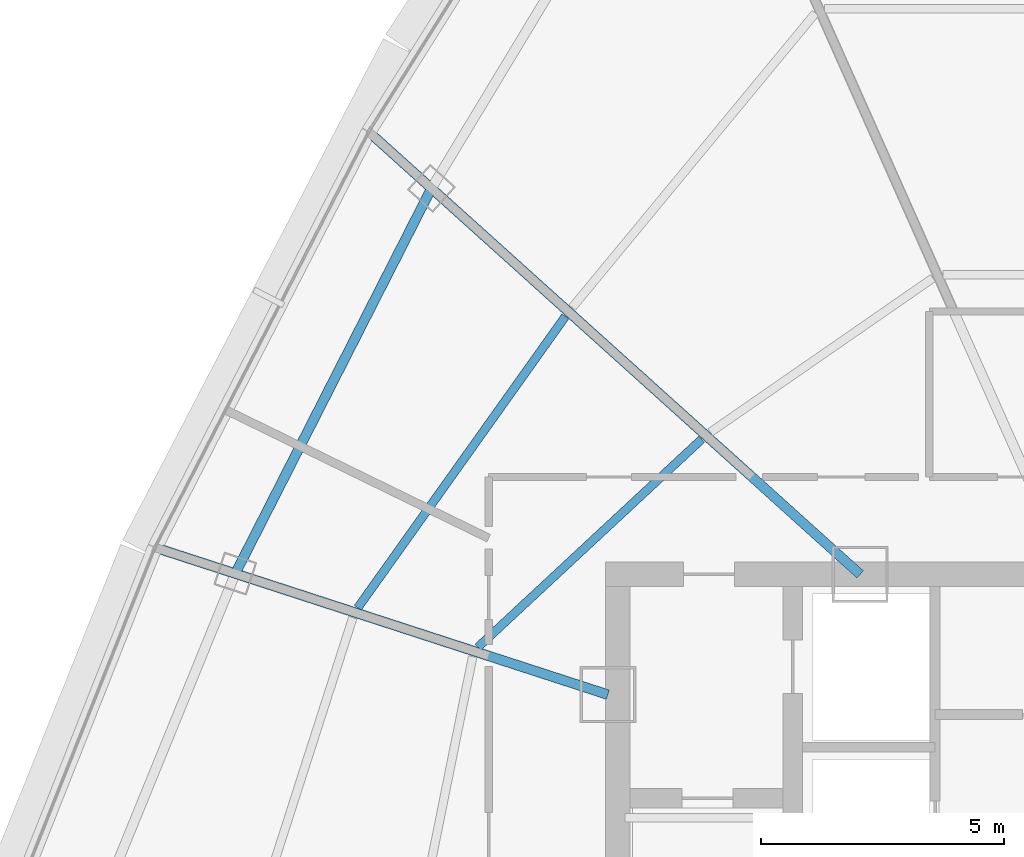
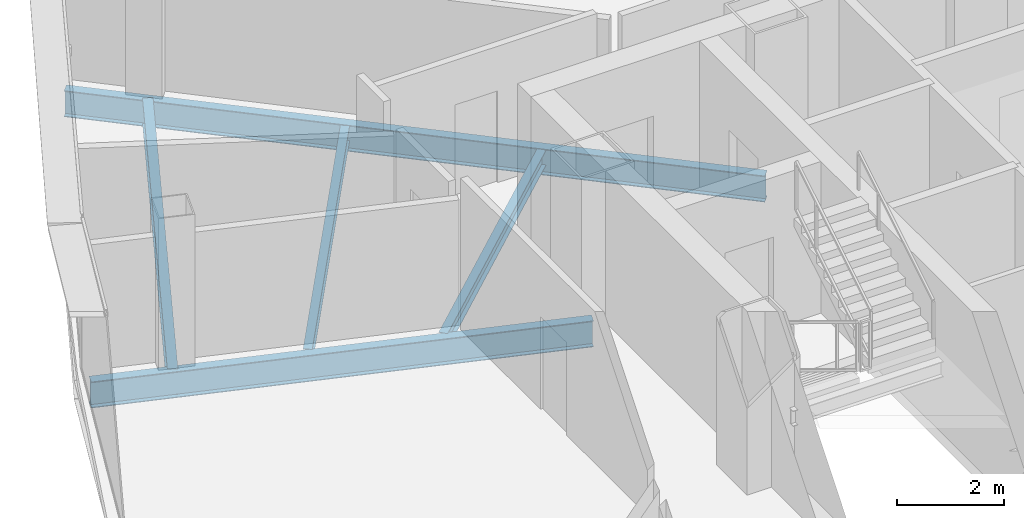
# One storey, part 7 of 29: 5 beams.
"""IFC4 building model written with IfcOpenShell, lengths in metres."""

import ifcopenshell
import ifcopenshell.guid

model = None  # the IFC model being written
_history = None  # IfcOwnerHistory: only IFC2X3 demands one
_inside = {}  # id of a spatial element -> (the spatial element, [elements in it])
_under = {}  # id of a project, library or spatial element -> (it, [spatial elements below it])
_declared = {}  # id of a project -> (the project, [libraries it declares])
_typed = {}  # id of a type object -> (the type object, [elements of that type])
_made_of = {}  # id of a material, layer set ... -> (it, [elements and type objects made of it])


def new_model(schema):
    """Start an empty IFC model of exactly this schema.

    Asked for "IFC4X3", IfcOpenShell would pick the latest addendum, in which some entities
    have other attributes; the version numbers below select the first issue.
    IFC2X3 requires an IfcOwnerHistory on every rooted entity: one is made here for all.
    """
    global model, _history
    if schema == "IFC4X3":
        model = ifcopenshell.file(schema_version=(4, 3, 0, 0))
    else:
        model = ifcopenshell.file(schema=schema)
    _inside.clear()
    _under.clear()
    _declared.clear()
    _typed.clear()
    _made_of.clear()
    _history = None
    if model.schema == "IFC2X3":
        org = make("IfcOrganization", Name="unknown")
        user = make(
            "IfcPersonAndOrganization",
            ThePerson=make("IfcPerson", FamilyName="unknown"),
            TheOrganization=org,
        )
        app = make(
            "IfcApplication",
            ApplicationDeveloper=org,
            Version="unknown",
            ApplicationFullName="unknown",
            ApplicationIdentifier="unknown",
        )
        _history = make(
            "IfcOwnerHistory",
            OwningUser=user,
            OwningApplication=app,
            ChangeAction="ADDED",
            CreationDate=0,
        )
    return model


def make(cls, **values):
    """One entity of the class cls with the attributes given. An attribute that is None is left unset."""
    return model.create_entity(
        cls, **{name: value for name, value in values.items() if value is not None}
    )


def rooted(cls, **values):
    """An entity with a GlobalId (a new one), such as an element, a storey or a relation."""
    return make(cls, GlobalId=ifcopenshell.guid.new(), OwnerHistory=_history, **values)


def si_unit(unit_type, name, prefix=None):
    """IfcSIUnit, for example si_unit("LENGTHUNIT", "METRE", prefix="MILLI")."""
    return make("IfcSIUnit", UnitType=unit_type, Prefix=prefix, Name=name)


def assignment(units):
    """IfcUnitAssignment: the units of a project."""
    return None if units is None else make("IfcUnitAssignment", Units=units)


def point(xyz):
    """IfcCartesianPoint."""
    return None if xyz is None else make("IfcCartesianPoint", Coordinates=xyz)


def direction(xyz):
    """IfcDirection."""
    return None if xyz is None else make("IfcDirection", DirectionRatios=xyz)


def frame(location, z_axis=None, x_axis=None):
    """IfcAxis2Placement3D, a coordinate frame: its origin and axes. An axis left out is left unset."""
    return make(
        "IfcAxis2Placement3D",
        Location=point(location),
        Axis=direction(z_axis),
        RefDirection=direction(x_axis),
    )


def frame_2d(location, x_axis=None):
    """IfcAxis2Placement2D, a coordinate frame in the plane: its origin and x axis."""
    return make(
        "IfcAxis2Placement2D", Location=point(location), RefDirection=direction(x_axis)
    )


def origin():
    """The frame at (0, 0, 0) with its axes left unset."""
    return frame((0.0, 0.0, 0.0))


def origin_2d():
    """The frame at (0, 0) in the plane with its x axis left unset."""
    return frame_2d((0.0, 0.0))


def place(relative_to, where):
    """IfcLocalPlacement: puts the frame where relative to a parent placement (None: the world)."""
    return make(
        "IfcLocalPlacement", PlacementRelTo=relative_to, RelativePlacement=where
    )


def context(
    kind, dimensions, precision=None, world=None, true_north=None, identifier=None
):
    """IfcGeometricRepresentationContext, for example the 3D "Model" context."""
    return make(
        "IfcGeometricRepresentationContext",
        ContextIdentifier=identifier,
        ContextType=kind,
        CoordinateSpaceDimension=dimensions,
        Precision=precision,
        WorldCoordinateSystem=world,
        TrueNorth=true_north,
    )


def subcontext(parent, identifier, kind, view, scale=None):
    """IfcGeometricRepresentationSubContext, for example "Body" below "Model"."""
    return make(
        "IfcGeometricRepresentationSubContext",
        ContextIdentifier=identifier,
        ContextType=kind,
        ParentContext=parent,
        TargetScale=scale,
        TargetView=view,
    )


def project(units=None, contexts=None):
    """IfcProject with its units and contexts."""
    return rooted(
        "IfcProject",
        Name="project",
        RepresentationContexts=contexts,
        UnitsInContext=assignment(units),
    )


def spatial(cls, under=None, at=None, **own):
    """A site, building, storey or space (cls), placed at a placement, below another one or the project."""
    s = rooted(cls, ObjectPlacement=at, **own)
    if under is not None:
        _under.setdefault(under.id(), (under, []))[1].append(s)
    return s


def profile(cls, at=None, kind="AREA", **sizes):
    """A parametric profile (cls). Its sizes go by their IFC names, for example OverallWidth=200.0."""
    return make(cls, ProfileType=kind, Position=at, **sizes)


def i_section(**sizes):
    """IfcIShapeProfileDef."""
    return profile("IfcIShapeProfileDef", **sizes)


def extrude(swept, where, along, depth):
    """IfcExtrudedAreaSolid: the profile swept, set in the frame where, extruded along a direction by depth."""
    return make(
        "IfcExtrudedAreaSolid",
        SweptArea=swept,
        Position=where,
        ExtrudedDirection=direction(along),
        Depth=depth,
    )


def shape(context_of_items, identifier, shape_type, items):
    """IfcShapeRepresentation: the items that make up one representation, for example the "Body"."""
    return make(
        "IfcShapeRepresentation",
        ContextOfItems=context_of_items,
        RepresentationIdentifier=identifier,
        RepresentationType=shape_type,
        Items=items,
    )


def source(mapping_origin, context_of_items, identifier, shape_type, items):
    """IfcRepresentationMap: a shape defined once, which mapped items show again and again."""
    return make(
        "IfcRepresentationMap",
        MappingOrigin=mapping_origin,
        MappedRepresentation=shape(context_of_items, identifier, shape_type, items),
    )


def transform(
    local_origin,
    x_axis=None,
    y_axis=None,
    z_axis=None,
    scale=None,
    scale2=None,
    scale3=None,
    uniform=True,
):
    """IfcCartesianTransformationOperator3D, or its non-uniform kind. x_axis, y_axis, z_axis: its Axis1, 2, 3."""
    if uniform:
        return make(
            "IfcCartesianTransformationOperator3D",
            Axis1=direction(x_axis),
            Axis2=direction(y_axis),
            LocalOrigin=point(local_origin),
            Scale=scale,
            Axis3=direction(z_axis),
        )
    return make(
        "IfcCartesianTransformationOperator3DnonUniform",
        Axis1=direction(x_axis),
        Axis2=direction(y_axis),
        LocalOrigin=point(local_origin),
        Scale=scale,
        Axis3=direction(z_axis),
        Scale2=scale2,
        Scale3=scale3,
    )


def mapped(mapping_source, mapping_target):
    """IfcMappedItem: shows the shape of a source again, moved by a transform."""
    return make(
        "IfcMappedItem", MappingSource=mapping_source, MappingTarget=mapping_target
    )


def material(Name=None, Category=None):
    """IfcMaterial."""
    return make("IfcMaterial", Name=Name, Category=Category)


def material_profile(
    of_material, cross_section, Name=None, Category=None, Priority=None
):
    """IfcMaterialProfile: a cross section and its material."""
    return make(
        "IfcMaterialProfile",
        Name=Name,
        Material=of_material,
        Profile=cross_section,
        Priority=Priority,
        Category=Category,
    )


def profile_set(profiles, Name=None, composite=None):
    """IfcMaterialProfileSet."""
    return make(
        "IfcMaterialProfileSet",
        Name=Name,
        MaterialProfiles=profiles,
        CompositeProfile=composite,
    )


def made_of(thing, what):
    """Note that an element or type object is made of a material, layer set ...; save() writes the relation."""
    if what is not None:
        _made_of.setdefault(what.id(), (what, []))[1].append(thing)
    return thing


def type_object(cls, material=None, **own):
    """A type object (cls), such as IfcWallType, which elements share."""
    return made_of(rooted(cls, **own), material)


def element(
    cls,
    number,
    at=None,
    inside=None,
    cuts=None,
    type_object=None,
    material=None,
    context=None,
    identifier="Body",
    shape_type=None,
    held_by="IfcProductDefinitionShape",
    body=None,
    shapes=None,
    **own,
):
    """One element of the class cls, such as IfcWall. Its Tag is "e" and its number.

    at: its placement. inside: the storey or other place that contains it. cuts: it is an
    opening in that element (IfcRelVoidsElement). A single representation is given by context,
    identifier, shape_type and body (its items); several are given by shapes. held_by: the class
    of the entity that holds the representations. save() writes the other relations.
    """
    e = rooted(cls, Tag="e%d" % number, ObjectPlacement=at, **own)
    if body is not None:
        shapes = [shape(context, identifier, shape_type, body)]
    if shapes is not None:
        e.Representation = make(held_by, Representations=shapes)
    if inside is not None:
        _inside.setdefault(inside.id(), (inside, []))[1].append(e)
    if cuts is not None:
        rooted(
            "IfcRelVoidsElement", RelatingBuildingElement=cuts, RelatedOpeningElement=e
        )
    if type_object is not None:
        _typed.setdefault(type_object.id(), (type_object, []))[1].append(e)
    return made_of(e, material)


def aggregate(whole, parts):
    """IfcRelAggregates: a whole, such as a stair, and the parts it consists of."""
    return rooted("IfcRelAggregates", RelatingObject=whole, RelatedObjects=parts)


def save(model, path):
    """Write the relations noted so far, then the file.

    IfcRelAggregates (storeys below a building ...), IfcRelContainedInSpatialStructure (elements
    in a storey), IfcRelDefinesByType, IfcRelAssociatesMaterial and IfcRelDeclares: one each for
    every whole, place, type object, material and project.
    """
    for whole, parts in _under.values():
        aggregate(whole, parts)
    for where, things in _inside.values():
        rooted(
            "IfcRelContainedInSpatialStructure",
            RelatedElements=things,
            RelatingStructure=where,
        )
    for kind, things in _typed.values():
        rooted("IfcRelDefinesByType", RelatedObjects=things, RelatingType=kind)
    for what, things in _made_of.values():
        rooted("IfcRelAssociatesMaterial", RelatedObjects=things, RelatingMaterial=what)
    for by, libraries in _declared.values():
        rooted("IfcRelDeclares", RelatingContext=by, RelatedDefinitions=libraries)
    model.write(path)


model = new_model("IFC4")

# Units and contexts
model_context = context("Model", 3, precision=1e-05, world=origin(), true_north=direction((0.0, 1.0)))
body_context = subcontext(model_context, "Body", "Model", "MODEL_VIEW")
ifc_project = project(units=[si_unit("LENGTHUNIT", "METRE"), si_unit("AREAUNIT", "SQUARE_METRE"), si_unit("VOLUMEUNIT", "CUBIC_METRE"), si_unit("PLANEANGLEUNIT", "RADIAN"), si_unit("MASSUNIT", "GRAM", prefix="KILO"), si_unit("THERMODYNAMICTEMPERATUREUNIT", "KELVIN"), si_unit("POWERUNIT", "WATT")], contexts=[model_context])

# Site, building, storey
site_placement = place(None, origin())
site = spatial("IfcSite", under=ifc_project, at=site_placement, CompositionType="ELEMENT")
building_placement = place(site_placement, origin())
building = spatial("IfcBuilding", under=site, at=building_placement, Name="Yunzhuo Pagoda Commons", CompositionType="ELEMENT")
storey_placement = place(building_placement, frame((0.0, 0.0, 363.010009765625)))
storey = spatial("IfcBuildingStorey", under=building, at=storey_placement, Name="L91", CompositionType="ELEMENT", Elevation=363.010009765625)

# Beams
ifc_material = material(Name="Structural steel Q355B", Category="steel")
ifc_material_profile_1 = material_profile(ifc_material, i_section(OverallWidth=0.199951171875, OverallDepth=0.60009765625, WebThickness=0.010986328125, FlangeThickness=0.01708984375, at=origin_2d()), Name="Structural steel Q355B")
ifc_profile_set_1 = profile_set([ifc_material_profile_1], Name="Structural steel Q355B")
beam_type_1 = type_object("IfcBeamType", Name="B-RG3 Beam HN 600x200x11x17", PredefinedType="BEAM", material=ifc_profile_set_1)
shared_shape_1 = source(origin(), body_context, "Body", "SweptSolid", [
    extrude(i_section(OverallWidth=0.199951171875, OverallDepth=0.60009765625, WebThickness=0.010986328125, FlangeThickness=0.01708984375, at=origin_2d()), origin(), (0.0, 0.0, 1.0), 8.87939453125),
])
beam_1_placement = place(storey_placement, frame((31.975341796875, 48.128662109375, -0.56005859375), z_axis=(-0.453723535687, -0.891142498798, 0.0), x_axis=(0.891142498798, -0.453723535687, 0.0)))
element("IfcBeam", 1, at=beam_1_placement, inside=storey, type_object=beam_type_1, Name="L91 column-ring beam 10", PredefinedType="BEAM", context=body_context, shape_type="MappedRepresentation", body=[
    mapped(shared_shape_1, transform((0.0, 0.0, 0.0), scale=1.0)),
])
ifc_material_profile_2 = material_profile(ifc_material, i_section(OverallWidth=0.175048828125, OverallDepth=0.35009765625, WebThickness=0.007080078125, FlangeThickness=0.010986328125, at=origin_2d()), Name="Structural steel Q355B")
ifc_profile_set_2 = profile_set([ifc_material_profile_2], Name="Structural steel Q355B")
beam_type_2 = type_object("IfcBeamType", Name="B-JS2 Joist HN 350x175x7x11", PredefinedType="JOIST", material=ifc_profile_set_2)
shared_shape_2 = source(origin(), body_context, "Body", "SweptSolid", [
    extrude(i_section(OverallWidth=0.175048828125, OverallDepth=0.35009765625, WebThickness=0.007080078125, FlangeThickness=0.010986328125, at=origin_2d()), origin(), (0.0, 0.0, 1.0), 6.277099609375),
])
beam_2_placement = place(storey_placement, frame((37.526611328125, 42.97607421875, -0.43505859375), z_axis=(-0.73244154109, -0.68082992655, 0.0), x_axis=(0.68082992655, -0.73244154109, 0.0)))
element("IfcBeam", 2, at=beam_2_placement, inside=storey, type_object=beam_type_2, Name="L91 composite ring joist 1.10", PredefinedType="JOIST", context=body_context, shape_type="MappedRepresentation", body=[
    mapped(shared_shape_2, transform((0.0, 0.0, 0.0), scale=1.0)),
])
shared_shape_3 = source(origin(), body_context, "Body", "SweptSolid", [
    extrude(i_section(OverallWidth=0.175048828125, OverallDepth=0.35009765625, WebThickness=0.007080078125, FlangeThickness=0.010986328125, at=origin_2d()), origin(), (0.0, 0.0, 1.0), 7.347900390625),
])
beam_3_placement = place(storey_placement, frame((34.726318359375, 45.497802734375, -0.43505859375), z_axis=(-0.580294898948, -0.814406428177, 0.0), x_axis=(0.814406428177, -0.580294898948, 0.0)))
element("IfcBeam", 3, at=beam_3_placement, inside=storey, type_object=beam_type_2, Name="L91 composite ring joist 2.10", PredefinedType="JOIST", context=body_context, shape_type="MappedRepresentation", body=[
    mapped(shared_shape_3, transform((0.0, 0.0, 0.0), scale=1.0)),
])
shared_shape_4 = source(origin(), body_context, "Body", "SweptSolid", [
    extrude(i_section(OverallWidth=0.199951171875, OverallDepth=0.60009765625, WebThickness=0.010986328125, FlangeThickness=0.01708984375, at=origin_2d()), origin(), (0.0, 0.0, 1.0), 9.62841796875),
])
beam_4_placement = place(storey_placement, frame((26.44287109375, 40.704345703125, -0.56005859375), z_axis=(0.951057171816, -0.309014976883, 0.0), x_axis=(0.309014976883, 0.951057171816, 0.0)))
element("IfcBeam", 4, at=beam_4_placement, inside=storey, type_object=beam_type_1, Name="L91 radial floor girder F3C3", PredefinedType="BEAM", context=body_context, shape_type="MappedRepresentation", body=[
    mapped(shared_shape_4, transform((0.0, 0.0, 0.0), scale=1.0)),
])
shared_shape_5 = source(origin(), body_context, "Body", "SweptSolid", [
    extrude(i_section(OverallWidth=0.199951171875, OverallDepth=0.60009765625, WebThickness=0.010986328125, FlangeThickness=0.01708984375, at=origin_2d()), origin(), (0.0, 0.0, 1.0), 13.429931640625),
])
beam_5_placement = place(storey_placement, frame((30.800537109375, 49.186279296875, -0.56005859375), z_axis=(0.743149501928, -0.669125412597, 0.0), x_axis=(0.669125412597, 0.743149501928, 0.0)))
element("IfcBeam", 5, at=beam_5_placement, inside=storey, type_object=beam_type_1, Name="L91 radial floor girder F3C2", PredefinedType="BEAM", context=body_context, shape_type="MappedRepresentation", body=[
    mapped(shared_shape_5, transform((0.0, 0.0, 0.0), scale=1.0)),
])

save(model, "model.ifc")
